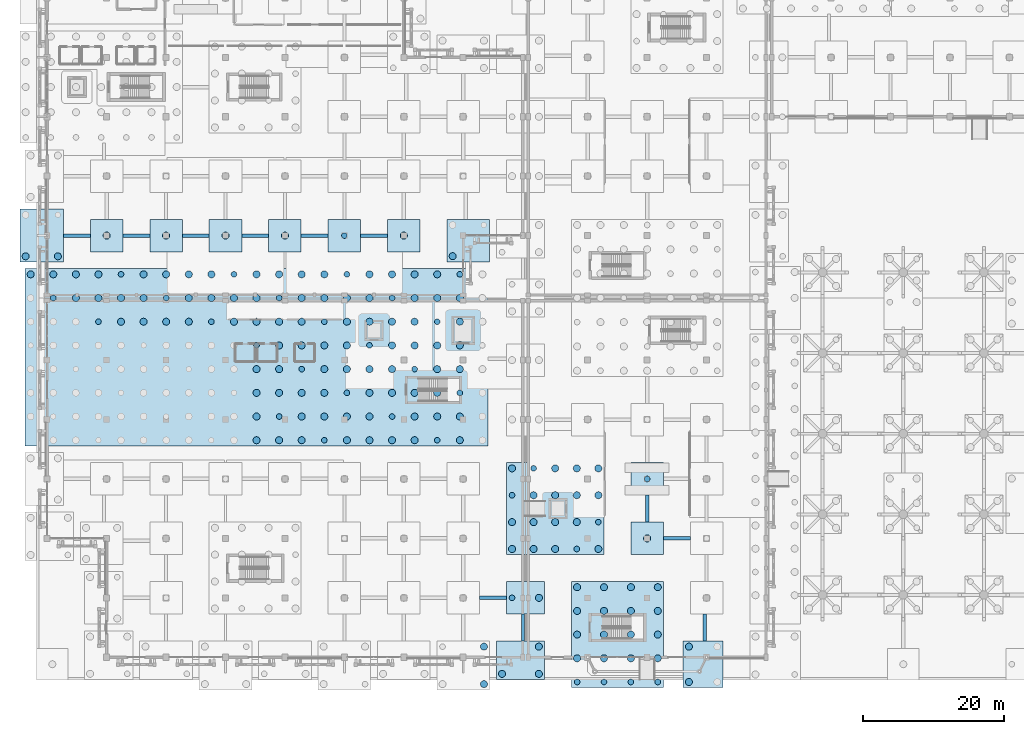
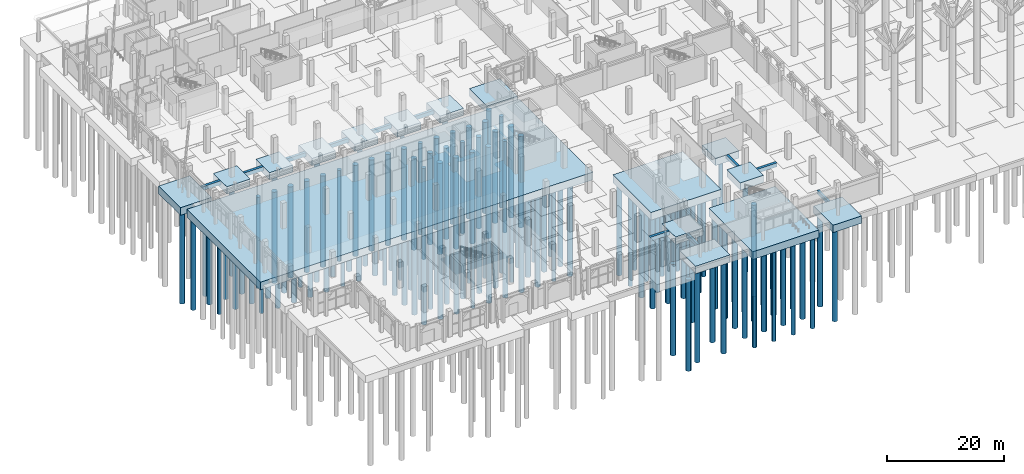
# One storey, part 2 of 98: 166 piles, 27 footings.
"""IFC4 building model written with IfcOpenShell, lengths in metres."""

from ifc_helpers import new_model, si_unit, direction, frame, origin, origin_2d, place, context, subcontext, project, spatial, rectangle, circle, extrude, material, material_profile, profile_set, type_object, element, save


model = new_model("IFC4")

# Units and contexts
model_context = context("Model", 3, precision=1e-05, world=origin(), true_north=direction((0.0, 1.0)))
body_context = subcontext(model_context, "Body", "Model", "MODEL_VIEW")
ifc_project = project(units=[si_unit("LENGTHUNIT", "METRE"), si_unit("AREAUNIT", "SQUARE_METRE"), si_unit("VOLUMEUNIT", "CUBIC_METRE"), si_unit("PLANEANGLEUNIT", "RADIAN"), si_unit("MASSUNIT", "GRAM", prefix="KILO")], contexts=[model_context])

# Site, building, storey
site_placement = place(None, origin())
site = spatial("IfcSite", under=ifc_project, at=site_placement, CompositionType="ELEMENT")
building_placement = place(site_placement, origin())
building = spatial("IfcBuilding", under=site, at=building_placement, Name="Xazarin Passage Department Store", CompositionType="ELEMENT")
storey_placement = place(building_placement, origin())
storey = spatial("IfcBuildingStorey", under=building, at=storey_placement, Name="L00", CompositionType="ELEMENT", Elevation=0.0)

# Footings
ifc_material = material(Name="Concrete C35/45", Category="concrete")
footing_type_1 = type_object("IfcFootingType", Name="STR-CAP-PC11", PredefinedType="PILE_CAP", material=ifc_material)
for number, where, z_axis, x_axis, name in (
    (1, (84.800048828125, 16.800048828125, -1.5), (0.0, 0.0, 1.0), (1.0, 0.0, 0.0), "Pile Cap 038"),
    (2, (84.800048828125, 25.199951171875, -1.5), (0.0, 0.0, 1.0), (1.0, 0.0, 0.0), "Pile Cap 054"),
    (3, (8.39990234375, 59.60009765625, -1.5), (0.0, 0.0, 1.0), (1.0, 0.0, 0.0), "Pile Cap 085"),
    (4, (16.800048828125, 59.60009765625, -1.5), (0.0, 0.0, 1.0), (1.0, 0.0, 0.0), "Pile Cap 086"),
    (5, (25.199951171875, 59.60009765625, -1.5), (0.0, 0.0, 1.0), (1.0, 0.0, 0.0), "Pile Cap 087"),
    (6, (33.60009765625, 59.60009765625, -1.5), (0.0, 0.0, 1.0), (1.0, 0.0, 0.0), "Pile Cap 088"),
    (7, (42.0, 59.60009765625, -1.5), (0.0, 0.0, 1.0), (1.0, 0.0, 0.0), "Pile Cap 089"),
    (8, (50.39990234375, 59.60009765625, -1.5), (0.0, 0.0, 1.0), (1.0, 0.0, 0.0), "Pile Cap 090"),
):
    element("IfcFooting", number, at=place(storey_placement, frame(where, z_axis=z_axis, x_axis=x_axis)), inside=storey, type_object=footing_type_1, Name=name, PredefinedType="PILE_CAP", context=body_context, shape_type="SweptSolid", body=[
        extrude(rectangle(XDim=4.60009765625, YDim=4.60009765625, at=origin_2d()), origin(), (0.0, 0.0, 1.0), 1.5),
    ])
footing_type_2 = type_object("IfcFootingType", Name="STR-CAP-PC13", PredefinedType="PILE_CAP", material=ifc_material)
footing_1_placement = place(storey_placement, frame((67.60009765625, 8.39990234375, -1.5498046875), z_axis=(0.0, 0.0, 1.0), x_axis=(1.0, 0.0, 0.0)))
element("IfcFooting", 9, at=footing_1_placement, inside=storey, type_object=footing_type_2, Name="Pile Cap 024", PredefinedType="PILE_CAP", context=body_context, shape_type="SweptSolid", body=[
    extrude(rectangle(XDim=5.39990234375, YDim=4.60009765625, at=origin_2d()), origin(), (0.0, 0.0, 1.0), 1.550048828125),
])
footing_type_3 = type_object("IfcFootingType", Name="STR-CAP-PC15", PredefinedType="PILE_CAP", material=ifc_material)
footing_2_placement = place(storey_placement, frame((59.510009765625, 58.889892578125, -1.5498046875), z_axis=(0.0, 0.0, 1.0), x_axis=(1.0, 0.0, 0.0)))
element("IfcFooting", 10, at=footing_2_placement, inside=storey, type_object=footing_type_3, Name="Pile Cap 082", PredefinedType="PILE_CAP", context=body_context, shape_type="SweptSolid", body=[
    extrude(rectangle(XDim=6.0, YDim=6.0, at=origin_2d()), origin(), (0.0, 0.0, 1.0), 1.550048828125),
])
footing_type_4 = type_object("IfcFootingType", Name="STR-CAP-PC16", PredefinedType="PILE_CAP", material=ifc_material)
footing_3_placement = place(storey_placement, frame((71.800048828125, 21.0, -1.60009765625), z_axis=(0.0, 0.0, 1.0), x_axis=(1.0, 0.0, 0.0)))
element("IfcFooting", 11, at=footing_3_placement, inside=storey, type_object=footing_type_4, Name="Pile Cap 037", PredefinedType="PILE_CAP", context=body_context, shape_type="SweptSolid", body=[
    extrude(rectangle(XDim=13.800048828125, YDim=13.0, at=origin_2d()), origin(), (0.0, 0.0, 1.0), 1.60009765625),
])
footing_type_5 = type_object("IfcFootingType", Name="STR-CAP-PC2", PredefinedType="PILE_CAP", material=ifc_material)
footing_4_placement = place(storey_placement, frame((80.60009765625, 3.199951171875, -1.60009765625), z_axis=(0.0, 0.0, 1.0), x_axis=(0.0, 1.0, 0.0)))
element("IfcFooting", 12, at=footing_4_placement, inside=storey, type_object=footing_type_5, Name="Pile Cap 004", PredefinedType="PILE_CAP", context=body_context, shape_type="SweptSolid", body=[
    extrude(rectangle(XDim=15.0, YDim=13.0, at=origin_2d()), origin(), (0.0, 0.0, 1.0), 1.60009765625),
])
footing_type_6 = type_object("IfcFootingType", Name="STR-CAP-PC20", PredefinedType="PILE_CAP", material=ifc_material)
footing_5_placement = place(storey_placement, frame((29.5849609375, 42.39990234375, -1.60009765625), z_axis=(0.0, 0.0, 1.0), x_axis=(1.0, 0.0, 0.0)))
element("IfcFooting", 13, at=footing_5_placement, inside=storey, type_object=footing_type_6, Name="Pile Cap 061", PredefinedType="PILE_CAP", context=body_context, shape_type="SweptSolid", body=[
    extrude(rectangle(XDim=65.449951171875, YDim=25.050048828125, at=origin_2d()), origin(), (0.0, 0.0, 1.0), 1.60009765625),
])
footing_type_7 = type_object("IfcFootingType", Name="STR-CAP-PC26", PredefinedType="PILE_CAP", material=ifc_material)
footing_6_placement = place(storey_placement, frame((-0.77490234375, 59.60009765625, -1.60009765625), z_axis=(0.0, 0.0, 1.0), x_axis=(0.0, 1.0, 0.0)))
element("IfcFooting", 14, at=footing_6_placement, inside=storey, type_object=footing_type_7, Name="Pile Cap 081", PredefinedType="PILE_CAP", context=body_context, shape_type="SweptSolid", body=[
    extrude(rectangle(XDim=7.449951171875, YDim=6.14990234375, at=origin_2d()), origin(), (0.0, 0.0, 1.0), 1.60009765625),
])
footing_type_8 = type_object("IfcFootingType", Name="STR-CAP-PC3", PredefinedType="PILE_CAP", material=ifc_material)
footing_7_placement = place(storey_placement, frame((92.699951171875, -1.0, -1.5498046875), z_axis=(0.0, 0.0, 1.0), x_axis=(0.0, 1.0, 0.0)))
element("IfcFooting", 15, at=footing_7_placement, inside=storey, type_object=footing_type_8, Name="Pile Cap 005", PredefinedType="PILE_CAP", context=body_context, shape_type="SweptSolid", body=[
    extrude(rectangle(XDim=6.60009765625, YDim=5.60009765625, at=origin_2d()), origin(), (0.0, 0.0, 1.0), 1.550048828125),
])
footing_type_9 = type_object("IfcFootingType", Name="STR-CAP-PC9", PredefinedType="PILE_CAP", material=ifc_material)
footing_8_placement = place(storey_placement, frame((66.889892578125, -0.425048828125, -1.5498046875), z_axis=(0.0, 0.0, 1.0), x_axis=(1.0, 0.0, 0.0)))
element("IfcFooting", 16, at=footing_8_placement, inside=storey, type_object=footing_type_9, Name="Pile Cap 016", PredefinedType="PILE_CAP", context=body_context, shape_type="SweptSolid", body=[
    extrude(rectangle(XDim=6.800048828125, YDim=5.449951171875, at=origin_2d()), origin(), (0.0, 0.0, 1.0), 1.550048828125),
])
ifc_material_profile_1 = material_profile(ifc_material, rectangle(XDim=0.449951171875, YDim=0.699951171875, at=origin_2d()), Name="RC 450x700")
ifc_profile_set_1 = profile_set([ifc_material_profile_1], Name="Concrete C35/45")
footing_type_10 = type_object("IfcFootingType", Name="STR-FTG-TB450x700", PredefinedType="FOOTING_BEAM", material=ifc_profile_set_1)
for number, where, z_axis, x_axis, name in (
    (17, (92.949951171875, 2.300048828125, -0.35009765625), (0.0, 1.0, 0.0), (-1.0, 0.0, 0.0), "Ground Tie Beam 003"),
    (18, (67.2451171875, 2.300048828125, -0.35009765625), (0.0, 1.0, 0.0), (-1.0, 0.0, 0.0), "Ground Tie Beam 007"),
):
    element("IfcFooting", number, at=place(storey_placement, frame(where, z_axis=z_axis, x_axis=x_axis)), inside=storey, type_object=footing_type_10, Name=name, PredefinedType="FOOTING_BEAM", context=body_context, shape_type="SweptSolid", body=[
        extrude(rectangle(XDim=0.449951171875, YDim=0.699951171875, at=origin_2d()), origin(), (0.0, 0.0, 1.0), 3.800048828125),
    ])
footing_9_placement = place(storey_placement, frame((84.800048828125, 19.10009765625, -0.35009765625), z_axis=(0.0, 1.0, 0.0), x_axis=(-1.0, 0.0, 0.0)))
element("IfcFooting", 19, at=footing_9_placement, inside=storey, type_object=footing_type_10, Name="Ground Tie Beam 034", PredefinedType="FOOTING_BEAM", context=body_context, shape_type="SweptSolid", body=[
    extrude(rectangle(XDim=0.449951171875, YDim=0.699951171875, at=origin_2d()), origin(), (0.0, 0.0, 1.0), 3.7998046875),
])
ifc_material_profile_2 = material_profile(ifc_material, rectangle(XDim=0.5, YDim=0.800048828125, at=origin_2d()), Name="RC 500x800")
ifc_profile_set_2 = profile_set([ifc_material_profile_2], Name="Concrete C35/45")
footing_type_11 = type_object("IfcFootingType", Name="STR-FTG-TB500x800", PredefinedType="FOOTING_BEAM", material=ifc_profile_set_2)
for number, where, z_axis, x_axis, name in (
    (20, (61.10009765625, 8.39990234375, -0.39990234375), (1.0, 0.0, 0.0), (0.0, 1.0, 0.0), "Ground Tie Beam 014"),
    (21, (87.10009765625, 16.800048828125, -0.39990234375), (1.0, 0.0, 0.0), (0.0, 1.0, 0.0), "Ground Tie Beam 033"),
):
    element("IfcFooting", number, at=place(storey_placement, frame(where, z_axis=z_axis, x_axis=x_axis)), inside=storey, type_object=footing_type_11, Name=name, PredefinedType="FOOTING_BEAM", context=body_context, shape_type="SweptSolid", body=[
        extrude(rectangle(XDim=0.5, YDim=0.800048828125, at=origin_2d()), origin(), (0.0, 0.0, 1.0), 3.7998046875),
    ])
for number, where, z_axis, x_axis, name in (
    (22, (2.300048828125, 59.60009765625, -0.39990234375), (1.0, 0.0, 0.0), (0.0, 1.0, 0.0), "Ground Tie Beam 077"),
    (23, (10.699951171875, 59.60009765625, -0.39990234375), (1.0, 0.0, 0.0), (0.0, 1.0, 0.0), "Ground Tie Beam 080"),
):
    element("IfcFooting", number, at=place(storey_placement, frame(where, z_axis=z_axis, x_axis=x_axis)), inside=storey, type_object=footing_type_11, Name=name, PredefinedType="FOOTING_BEAM", context=body_context, shape_type="SweptSolid", body=[
        extrude(rectangle(XDim=0.5, YDim=0.800048828125, at=origin_2d()), origin(), (0.0, 0.0, 1.0), 3.800048828125),
    ])
footing_10_placement = place(storey_placement, frame((19.10009765625, 59.60009765625, -0.39990234375), z_axis=(1.0, 0.0, 0.0), x_axis=(0.0, 1.0, 0.0)))
element("IfcFooting", 24, at=footing_10_placement, inside=storey, type_object=footing_type_11, Name="Ground Tie Beam 082", PredefinedType="FOOTING_BEAM", context=body_context, shape_type="SweptSolid", body=[
    extrude(rectangle(XDim=0.5, YDim=0.800048828125, at=origin_2d()), origin(), (0.0, 0.0, 1.0), 3.7998046875),
])
for number, where, z_axis, x_axis, name in (
    (25, (27.5, 59.60009765625, -0.39990234375), (1.0, 0.0, 0.0), (0.0, 1.0, 0.0), "Ground Tie Beam 084"),
    (26, (35.89990234375, 59.60009765625, -0.39990234375), (1.0, 0.0, 0.0), (0.0, 1.0, 0.0), "Ground Tie Beam 086"),
    (27, (44.300048828125, 59.60009765625, -0.39990234375), (1.0, 0.0, 0.0), (0.0, 1.0, 0.0), "Ground Tie Beam 088"),
):
    element("IfcFooting", number, at=place(storey_placement, frame(where, z_axis=z_axis, x_axis=x_axis)), inside=storey, type_object=footing_type_11, Name=name, PredefinedType="FOOTING_BEAM", context=body_context, shape_type="SweptSolid", body=[
        extrude(rectangle(XDim=0.5, YDim=0.800048828125, at=origin_2d()), origin(), (0.0, 0.0, 1.0), 3.800048828125),
    ])

# Piles
ifc_material_profile_3 = material_profile(ifc_material, circle(Radius=0.5, at=origin_2d()), Name="BP 1000")
ifc_profile_set_3 = profile_set([ifc_material_profile_3], Name="Concrete C35/45")
pile_type_1 = type_object("IfcPileType", Name="STR-PIL-BP1000", PredefinedType="BORED", material=ifc_profile_set_3)
for number, where, z_axis, x_axis, name in (
    (28, (61.72509765625, -3.800048828125, -1.5), (0.0, 0.0, -1.0), (1.0, 0.0, 0.0), "Bored Pile 003-3"),
    (29, (61.72509765625, 1.5, -1.5), (0.0, 0.0, -1.0), (1.0, 0.0, 0.0), "Bored Pile 003-4"),
    (30, (74.89990234375, -0.14990234375, -1.5), (0.0, 0.0, -1.0), (1.0, 0.0, 0.0), "Bored Pile 004-2"),
    (31, (74.89990234375, 3.199951171875, -1.5), (0.0, 0.0, -1.0), (1.0, 0.0, 0.0), "Bored Pile 004-3"),
    (32, (74.89990234375, 6.550048828125, -1.5), (0.0, 0.0, -1.0), (1.0, 0.0, 0.0), "Bored Pile 004-4"),
    (33, (74.89990234375, 9.89990234375, -1.5), (0.0, 0.0, -1.0), (1.0, 0.0, 0.0), "Bored Pile 004-5"),
    (34, (78.699951171875, -0.14990234375, -1.5), (0.0, 0.0, -1.0), (1.0, 0.0, 0.0), "Bored Pile 004-7"),
    (35, (78.699951171875, 3.199951171875, -1.5), (0.0, 0.0, -1.0), (1.0, 0.0, 0.0), "Bored Pile 004-8"),
    (36, (78.699951171875, 6.550048828125, -1.5), (0.0, 0.0, -1.0), (1.0, 0.0, 0.0), "Bored Pile 004-9"),
    (37, (78.699951171875, 9.89990234375, -1.5), (0.0, 0.0, -1.0), (1.0, 0.0, 0.0), "Bored Pile 004-10"),
    (38, (82.5, -0.14990234375, -1.5), (0.0, 0.0, -1.0), (1.0, 0.0, 0.0), "Bored Pile 004-12"),
    (39, (82.5, 3.199951171875, -1.5), (0.0, 0.0, -1.0), (1.0, 0.0, 0.0), "Bored Pile 004-13"),
    (40, (82.5, 6.550048828125, -1.5), (0.0, 0.0, -1.0), (1.0, 0.0, 0.0), "Bored Pile 004-14"),
    (41, (82.5, 9.89990234375, -1.5), (0.0, 0.0, -1.0), (1.0, 0.0, 0.0), "Bored Pile 004-15"),
    (42, (86.300048828125, -0.14990234375, -1.5), (0.0, 0.0, -1.0), (1.0, 0.0, 0.0), "Bored Pile 004-17"),
    (43, (86.300048828125, 3.199951171875, -1.5), (0.0, 0.0, -1.0), (1.0, 0.0, 0.0), "Bored Pile 004-18"),
    (44, (86.300048828125, 6.550048828125, -1.5), (0.0, 0.0, -1.0), (1.0, 0.0, 0.0), "Bored Pile 004-19"),
    (45, (86.300048828125, 9.89990234375, -1.5), (0.0, 0.0, -1.0), (1.0, 0.0, 0.0), "Bored Pile 004-20"),
):
    element("IfcPile", number, at=place(storey_placement, frame(where, z_axis=z_axis, x_axis=x_axis)), inside=storey, type_object=pile_type_1, Name=name, PredefinedType="BORED", context=body_context, shape_type="SweptSolid", body=[
        extrude(circle(Radius=0.5, at=origin_2d()), origin(), (0.0, 0.0, 1.0), 19.0),
    ])
for number, where, z_axis, x_axis, name in (
    (46, (90.699951171875, -3.5, -1.449951171875), (0.0, 0.0, -1.0), (1.0, 0.0, 0.0), "Bored Pile 005-1"),
    (47, (90.699951171875, 1.5, -1.449951171875), (0.0, 0.0, -1.0), (1.0, 0.0, 0.0), "Bored Pile 005-2"),
    (48, (64.2900390625, -2.35009765625, -1.449951171875), (0.0, 0.0, -1.0), (1.0, 0.0, 0.0), "Bored Pile 016-1"),
    (49, (69.489990234375, -2.35009765625, -1.449951171875), (0.0, 0.0, -1.0), (1.0, 0.0, 0.0), "Bored Pile 016-2"),
    (50, (69.489990234375, 1.5, -1.449951171875), (0.0, 0.0, -1.0), (1.0, 0.0, 0.0), "Bored Pile 016-3"),
    (51, (69.5, 8.39990234375, -1.449951171875), (0.0, 0.0, -1.0), (1.0, 0.0, 0.0), "Bored Pile 024-2"),
):
    element("IfcPile", number, at=place(storey_placement, frame(where, z_axis=z_axis, x_axis=x_axis)), inside=storey, type_object=pile_type_1, Name=name, PredefinedType="BORED", context=body_context, shape_type="SweptSolid", body=[
        extrude(circle(Radius=0.5, at=origin_2d()), origin(), (0.0, 0.0, 1.0), 19.050048828125),
    ])
for number, where, z_axis, x_axis, name in (
    (52, (65.699951171875, 15.300048828125, -1.5), (0.0, 0.0, -1.0), (1.0, 0.0, 0.0), "Bored Pile 037-1"),
    (53, (65.699951171875, 19.10009765625, -1.5), (0.0, 0.0, -1.0), (1.0, 0.0, 0.0), "Bored Pile 037-2"),
    (54, (65.699951171875, 26.699951171875, -1.5), (0.0, 0.0, -1.0), (1.0, 0.0, 0.0), "Bored Pile 037-4"),
    (55, (68.75, 15.300048828125, -1.5), (0.0, 0.0, -1.0), (1.0, 0.0, 0.0), "Bored Pile 037-5"),
    (56, (68.75, 19.10009765625, -1.5), (0.0, 0.0, -1.0), (1.0, 0.0, 0.0), "Bored Pile 037-6"),
    (57, (68.75, 22.89990234375, -1.5), (0.0, 0.0, -1.0), (1.0, 0.0, 0.0), "Bored Pile 037-7"),
    (58, (71.800048828125, 15.300048828125, -1.5), (0.0, 0.0, -1.0), (1.0, 0.0, 0.0), "Bored Pile 037-9"),
    (59, (71.800048828125, 19.10009765625, -1.5), (0.0, 0.0, -1.0), (1.0, 0.0, 0.0), "Bored Pile 037-10"),
    (60, (71.800048828125, 22.89990234375, -1.5), (0.0, 0.0, -1.0), (1.0, 0.0, 0.0), "Bored Pile 037-11"),
    (61, (71.800048828125, 26.699951171875, -1.5), (0.0, 0.0, -1.0), (1.0, 0.0, 0.0), "Bored Pile 037-12"),
    (62, (74.85009765625, 19.10009765625, -1.5), (0.0, 0.0, -1.0), (1.0, 0.0, 0.0), "Bored Pile 037-14"),
    (63, (74.85009765625, 22.89990234375, -1.5), (0.0, 0.0, -1.0), (1.0, 0.0, 0.0), "Bored Pile 037-15"),
    (64, (74.85009765625, 26.699951171875, -1.5), (0.0, 0.0, -1.0), (1.0, 0.0, 0.0), "Bored Pile 037-16"),
    (65, (77.89990234375, 15.300048828125, -1.5), (0.0, 0.0, -1.0), (1.0, 0.0, 0.0), "Bored Pile 037-17"),
    (66, (77.89990234375, 22.89990234375, -1.5), (0.0, 0.0, -1.0), (1.0, 0.0, 0.0), "Bored Pile 037-19"),
    (67, (77.89990234375, 26.699951171875, -1.5), (0.0, 0.0, -1.0), (1.0, 0.0, 0.0), "Bored Pile 037-20"),
):
    element("IfcPile", number, at=place(storey_placement, frame(where, z_axis=z_axis, x_axis=x_axis)), inside=storey, type_object=pile_type_1, Name=name, PredefinedType="BORED", context=body_context, shape_type="SweptSolid", body=[
        extrude(circle(Radius=0.5, at=origin_2d()), origin(), (0.0, 0.0, 1.0), 19.0),
    ])
pile_1_placement = place(storey_placement, frame((84.800048828125, 16.800048828125, -1.39990234375), z_axis=(0.0, 0.0, -1.0), x_axis=(1.0, 0.0, 0.0)))
element("IfcPile", 68, at=pile_1_placement, inside=storey, type_object=pile_type_1, Name="Bored Pile 038-1", PredefinedType="BORED", context=body_context, shape_type="SweptSolid", body=[
    extrude(circle(Radius=0.5, at=origin_2d()), origin(), (0.0, 0.0, 1.0), 19.10009765625),
])
for number, where, z_axis, x_axis, name in (
    (69, (-2.340087890625, 54.125, -1.5), (0.0, 0.0, -1.0), (1.0, 0.0, 0.0), "Bored Pile 061-7"),
    (70, (0.8525390625, 54.125, -1.5), (0.0, 0.0, -1.0), (1.0, 0.0, 0.0), "Bored Pile 061-15"),
    (71, (4.044921875, 50.77490234375, -1.5), (0.0, 0.0, -1.0), (1.0, 0.0, 0.0), "Bored Pile 061-22"),
    (72, (4.044921875, 54.125, -1.5), (0.0, 0.0, -1.0), (1.0, 0.0, 0.0), "Bored Pile 061-23"),
    (73, (7.237548828125, 50.77490234375, -1.5), (0.0, 0.0, -1.0), (1.0, 0.0, 0.0), "Bored Pile 061-30"),
    (74, (7.237548828125, 54.125, -1.5), (0.0, 0.0, -1.0), (1.0, 0.0, 0.0), "Bored Pile 061-31"),
    (75, (10.429931640625, 47.425048828125, -1.5), (0.0, 0.0, -1.0), (1.0, 0.0, 0.0), "Bored Pile 061-37"),
    (76, (10.429931640625, 50.77490234375, -1.5), (0.0, 0.0, -1.0), (1.0, 0.0, 0.0), "Bored Pile 061-38"),
    (77, (13.62255859375, 47.425048828125, -1.5), (0.0, 0.0, -1.0), (1.0, 0.0, 0.0), "Bored Pile 061-45"),
    (78, (13.62255859375, 50.77490234375, -1.5), (0.0, 0.0, -1.0), (1.0, 0.0, 0.0), "Bored Pile 061-46"),
    (79, (13.62255859375, 54.125, -1.5), (0.0, 0.0, -1.0), (1.0, 0.0, 0.0), "Bored Pile 061-47"),
    (80, (16.81494140625, 47.425048828125, -1.5), (0.0, 0.0, -1.0), (1.0, 0.0, 0.0), "Bored Pile 061-53"),
    (81, (16.81494140625, 54.125, -1.5), (0.0, 0.0, -1.0), (1.0, 0.0, 0.0), "Bored Pile 061-55"),
    (82, (20.007568359375, 47.425048828125, -1.5), (0.0, 0.0, -1.0), (1.0, 0.0, 0.0), "Bored Pile 061-61"),
    (83, (20.007568359375, 50.77490234375, -1.5), (0.0, 0.0, -1.0), (1.0, 0.0, 0.0), "Bored Pile 061-62"),
    (84, (20.007568359375, 54.125, -1.5), (0.0, 0.0, -1.0), (1.0, 0.0, 0.0), "Bored Pile 061-63"),
    (85, (23.199951171875, 50.77490234375, -1.5), (0.0, 0.0, -1.0), (1.0, 0.0, 0.0), "Bored Pile 061-70"),
    (86, (23.199951171875, 54.125, -1.5), (0.0, 0.0, -1.0), (1.0, 0.0, 0.0), "Bored Pile 061-71"),
    (87, (26.392578125, 47.425048828125, -1.5), (0.0, 0.0, -1.0), (1.0, 0.0, 0.0), "Bored Pile 061-77"),
    (88, (26.392578125, 50.77490234375, -1.5), (0.0, 0.0, -1.0), (1.0, 0.0, 0.0), "Bored Pile 061-78"),
    (89, (29.5849609375, 30.675048828125, -1.5), (0.0, 0.0, -1.0), (1.0, 0.0, 0.0), "Bored Pile 061-80"),
    (90, (29.5849609375, 34.02490234375, -1.5), (0.0, 0.0, -1.0), (1.0, 0.0, 0.0), "Bored Pile 061-81"),
    (91, (29.5849609375, 37.375, -1.5), (0.0, 0.0, -1.0), (1.0, 0.0, 0.0), "Bored Pile 061-82"),
    (92, (29.5849609375, 40.72509765625, -1.5), (0.0, 0.0, -1.0), (1.0, 0.0, 0.0), "Bored Pile 061-83"),
    (93, (29.5849609375, 47.425048828125, -1.5), (0.0, 0.0, -1.0), (1.0, 0.0, 0.0), "Bored Pile 061-85"),
    (94, (29.5849609375, 50.77490234375, -1.5), (0.0, 0.0, -1.0), (1.0, 0.0, 0.0), "Bored Pile 061-86"),
    (95, (29.5849609375, 54.125, -1.5), (0.0, 0.0, -1.0), (1.0, 0.0, 0.0), "Bored Pile 061-87"),
    (96, (32.777587890625, 30.675048828125, -1.5), (0.0, 0.0, -1.0), (1.0, 0.0, 0.0), "Bored Pile 061-88"),
    (97, (32.777587890625, 37.375, -1.5), (0.0, 0.0, -1.0), (1.0, 0.0, 0.0), "Bored Pile 061-90"),
    (98, (32.777587890625, 40.72509765625, -1.5), (0.0, 0.0, -1.0), (1.0, 0.0, 0.0), "Bored Pile 061-91"),
    (99, (32.777587890625, 44.074951171875, -1.5), (0.0, 0.0, -1.0), (1.0, 0.0, 0.0), "Bored Pile 061-92"),
    (100, (32.777587890625, 47.425048828125, -1.5), (0.0, 0.0, -1.0), (1.0, 0.0, 0.0), "Bored Pile 061-93"),
    (101, (32.777587890625, 54.125, -1.5), (0.0, 0.0, -1.0), (1.0, 0.0, 0.0), "Bored Pile 061-95"),
    (102, (35.969970703125, 30.675048828125, -1.5), (0.0, 0.0, -1.0), (1.0, 0.0, 0.0), "Bored Pile 061-96"),
    (103, (35.969970703125, 34.02490234375, -1.5), (0.0, 0.0, -1.0), (1.0, 0.0, 0.0), "Bored Pile 061-97"),
    (104, (35.969970703125, 37.375, -1.5), (0.0, 0.0, -1.0), (1.0, 0.0, 0.0), "Bored Pile 061-98"),
    (105, (35.969970703125, 44.074951171875, -1.5), (0.0, 0.0, -1.0), (1.0, 0.0, 0.0), "Bored Pile 061-100"),
    (106, (35.969970703125, 47.425048828125, -1.5), (0.0, 0.0, -1.0), (1.0, 0.0, 0.0), "Bored Pile 061-101"),
    (107, (35.969970703125, 50.77490234375, -1.5), (0.0, 0.0, -1.0), (1.0, 0.0, 0.0), "Bored Pile 061-102"),
    (108, (35.969970703125, 54.125, -1.5), (0.0, 0.0, -1.0), (1.0, 0.0, 0.0), "Bored Pile 061-103"),
    (109, (39.16259765625, 34.02490234375, -1.5), (0.0, 0.0, -1.0), (1.0, 0.0, 0.0), "Bored Pile 061-105"),
    (110, (39.16259765625, 37.375, -1.5), (0.0, 0.0, -1.0), (1.0, 0.0, 0.0), "Bored Pile 061-106"),
    (111, (39.16259765625, 40.72509765625, -1.5), (0.0, 0.0, -1.0), (1.0, 0.0, 0.0), "Bored Pile 061-107"),
    (112, (39.16259765625, 44.074951171875, -1.5), (0.0, 0.0, -1.0), (1.0, 0.0, 0.0), "Bored Pile 061-108"),
    (113, (39.16259765625, 50.77490234375, -1.5), (0.0, 0.0, -1.0), (1.0, 0.0, 0.0), "Bored Pile 061-110"),
    (114, (39.16259765625, 54.125, -1.5), (0.0, 0.0, -1.0), (1.0, 0.0, 0.0), "Bored Pile 061-111"),
    (115, (42.35498046875, 30.675048828125, -1.5), (0.0, 0.0, -1.0), (1.0, 0.0, 0.0), "Bored Pile 061-112"),
    (116, (42.35498046875, 34.02490234375, -1.5), (0.0, 0.0, -1.0), (1.0, 0.0, 0.0), "Bored Pile 061-113"),
    (117, (42.35498046875, 40.72509765625, -1.5), (0.0, 0.0, -1.0), (1.0, 0.0, 0.0), "Bored Pile 061-115"),
    (118, (42.35498046875, 44.074951171875, -1.5), (0.0, 0.0, -1.0), (1.0, 0.0, 0.0), "Bored Pile 061-116"),
    (119, (42.35498046875, 47.425048828125, -1.5), (0.0, 0.0, -1.0), (1.0, 0.0, 0.0), "Bored Pile 061-117"),
    (120, (42.35498046875, 50.77490234375, -1.5), (0.0, 0.0, -1.0), (1.0, 0.0, 0.0), "Bored Pile 061-118"),
    (121, (45.547607421875, 30.675048828125, -1.5), (0.0, 0.0, -1.0), (1.0, 0.0, 0.0), "Bored Pile 061-120"),
    (122, (45.547607421875, 34.02490234375, -1.5), (0.0, 0.0, -1.0), (1.0, 0.0, 0.0), "Bored Pile 061-121"),
    (123, (45.547607421875, 37.375, -1.5), (0.0, 0.0, -1.0), (1.0, 0.0, 0.0), "Bored Pile 061-122"),
    (124, (45.547607421875, 40.72509765625, -1.5), (0.0, 0.0, -1.0), (1.0, 0.0, 0.0), "Bored Pile 061-123"),
    (125, (45.547607421875, 47.425048828125, -1.5), (0.0, 0.0, -1.0), (1.0, 0.0, 0.0), "Bored Pile 061-125"),
    (126, (45.547607421875, 50.77490234375, -1.5), (0.0, 0.0, -1.0), (1.0, 0.0, 0.0), "Bored Pile 061-126"),
    (127, (45.547607421875, 54.125, -1.5), (0.0, 0.0, -1.0), (1.0, 0.0, 0.0), "Bored Pile 061-127"),
    (128, (48.739990234375, 30.675048828125, -1.5), (0.0, 0.0, -1.0), (1.0, 0.0, 0.0), "Bored Pile 061-128"),
    (129, (48.739990234375, 37.375, -1.5), (0.0, 0.0, -1.0), (1.0, 0.0, 0.0), "Bored Pile 061-130"),
    (130, (48.739990234375, 40.72509765625, -1.5), (0.0, 0.0, -1.0), (1.0, 0.0, 0.0), "Bored Pile 061-131"),
    (131, (48.739990234375, 44.074951171875, -1.5), (0.0, 0.0, -1.0), (1.0, 0.0, 0.0), "Bored Pile 061-132"),
    (132, (48.739990234375, 47.425048828125, -1.5), (0.0, 0.0, -1.0), (1.0, 0.0, 0.0), "Bored Pile 061-133"),
    (133, (48.739990234375, 54.125, -1.5), (0.0, 0.0, -1.0), (1.0, 0.0, 0.0), "Bored Pile 061-135"),
    (134, (51.9326171875, 30.675048828125, -1.5), (0.0, 0.0, -1.0), (1.0, 0.0, 0.0), "Bored Pile 061-136"),
    (135, (51.9326171875, 34.02490234375, -1.5), (0.0, 0.0, -1.0), (1.0, 0.0, 0.0), "Bored Pile 061-137"),
    (136, (51.9326171875, 37.375, -1.5), (0.0, 0.0, -1.0), (1.0, 0.0, 0.0), "Bored Pile 061-138"),
    (137, (51.9326171875, 44.074951171875, -1.5), (0.0, 0.0, -1.0), (1.0, 0.0, 0.0), "Bored Pile 061-140"),
    (138, (51.9326171875, 47.425048828125, -1.5), (0.0, 0.0, -1.0), (1.0, 0.0, 0.0), "Bored Pile 061-141"),
    (139, (51.9326171875, 50.77490234375, -1.5), (0.0, 0.0, -1.0), (1.0, 0.0, 0.0), "Bored Pile 061-142"),
    (140, (51.9326171875, 54.125, -1.5), (0.0, 0.0, -1.0), (1.0, 0.0, 0.0), "Bored Pile 061-143"),
    (141, (55.125, 34.02490234375, -1.5), (0.0, 0.0, -1.0), (1.0, 0.0, 0.0), "Bored Pile 061-145"),
    (142, (55.125, 37.375, -1.5), (0.0, 0.0, -1.0), (1.0, 0.0, 0.0), "Bored Pile 061-146"),
    (143, (55.125, 40.72509765625, -1.5), (0.0, 0.0, -1.0), (1.0, 0.0, 0.0), "Bored Pile 061-147"),
    (144, (55.125, 44.074951171875, -1.5), (0.0, 0.0, -1.0), (1.0, 0.0, 0.0), "Bored Pile 061-148"),
    (145, (55.125, 50.77490234375, -1.5), (0.0, 0.0, -1.0), (1.0, 0.0, 0.0), "Bored Pile 061-150"),
    (146, (55.125, 54.125, -1.5), (0.0, 0.0, -1.0), (1.0, 0.0, 0.0), "Bored Pile 061-151"),
    (147, (58.3173828125, 30.675048828125, -1.5), (0.0, 0.0, -1.0), (1.0, 0.0, 0.0), "Bored Pile 061-152"),
    (148, (58.3173828125, 34.02490234375, -1.5), (0.0, 0.0, -1.0), (1.0, 0.0, 0.0), "Bored Pile 061-153"),
    (149, (58.3173828125, 40.72509765625, -1.5), (0.0, 0.0, -1.0), (1.0, 0.0, 0.0), "Bored Pile 061-155"),
    (150, (58.3173828125, 44.074951171875, -1.5), (0.0, 0.0, -1.0), (1.0, 0.0, 0.0), "Bored Pile 061-156"),
    (151, (58.3173828125, 47.425048828125, -1.5), (0.0, 0.0, -1.0), (1.0, 0.0, 0.0), "Bored Pile 061-157"),
    (152, (58.3173828125, 50.77490234375, -1.5), (0.0, 0.0, -1.0), (1.0, 0.0, 0.0), "Bored Pile 061-158"),
    (153, (-3.050048828125, 56.675048828125, -1.5), (0.0, 0.0, -1.0), (1.0, 0.0, 0.0), "Bored Pile 081-1"),
    (154, (1.5, 56.675048828125, -1.5), (0.0, 0.0, -1.0), (1.0, 0.0, 0.0), "Bored Pile 081-3"),
):
    element("IfcPile", number, at=place(storey_placement, frame(where, z_axis=z_axis, x_axis=x_axis)), inside=storey, type_object=pile_type_1, Name=name, PredefinedType="BORED", context=body_context, shape_type="SweptSolid", body=[
        extrude(circle(Radius=0.5, at=origin_2d()), origin(), (0.0, 0.0, 1.0), 19.0),
    ])
pile_2_placement = place(storey_placement, frame((57.31005859375, 56.68994140625, -1.449951171875), z_axis=(0.0, 0.0, -1.0), x_axis=(1.0, 0.0, 0.0)))
element("IfcPile", 155, at=pile_2_placement, inside=storey, type_object=pile_type_1, Name="Bored Pile 082-1", PredefinedType="BORED", context=body_context, shape_type="SweptSolid", body=[
    extrude(circle(Radius=0.5, at=origin_2d()), origin(), (0.0, 0.0, 1.0), 19.050048828125),
])
for number, where, z_axis, x_axis, name in (
    (156, (8.39990234375, 59.60009765625, -1.39990234375), (0.0, 0.0, -1.0), (1.0, 0.0, 0.0), "Bored Pile 085-1"),
    (157, (16.800048828125, 59.60009765625, -1.39990234375), (0.0, 0.0, -1.0), (1.0, 0.0, 0.0), "Bored Pile 086-1"),
    (158, (25.199951171875, 59.60009765625, -1.39990234375), (0.0, 0.0, -1.0), (1.0, 0.0, 0.0), "Bored Pile 087-1"),
    (159, (33.60009765625, 59.60009765625, -1.39990234375), (0.0, 0.0, -1.0), (1.0, 0.0, 0.0), "Bored Pile 088-1"),
    (160, (50.39990234375, 59.60009765625, -1.39990234375), (0.0, 0.0, -1.0), (1.0, 0.0, 0.0), "Bored Pile 090-1"),
):
    element("IfcPile", number, at=place(storey_placement, frame(where, z_axis=z_axis, x_axis=x_axis)), inside=storey, type_object=pile_type_1, Name=name, PredefinedType="BORED", context=body_context, shape_type="SweptSolid", body=[
        extrude(circle(Radius=0.5, at=origin_2d()), origin(), (0.0, 0.0, 1.0), 19.10009765625),
    ])
ifc_material_profile_4 = material_profile(ifc_material, circle(Radius=0.39990234375, at=origin_2d()), Name="BP 800")
ifc_profile_set_4 = profile_set([ifc_material_profile_4], Name="Concrete C35/45")
pile_type_2 = type_object("IfcPileType", Name="STR-PIL-BP800", PredefinedType="BORED", material=ifc_profile_set_4)
for number, where, z_axis, x_axis, name in (
    (161, (74.89990234375, -3.5, -1.5), (0.0, 0.0, -1.0), (1.0, 0.0, 0.0), "Bored Pile 004-1"),
    (162, (78.699951171875, -3.5, -1.5), (0.0, 0.0, -1.0), (1.0, 0.0, 0.0), "Bored Pile 004-6"),
    (163, (82.5, -3.5, -1.5), (0.0, 0.0, -1.0), (1.0, 0.0, 0.0), "Bored Pile 004-11"),
    (164, (86.300048828125, -3.5, -1.5), (0.0, 0.0, -1.0), (1.0, 0.0, 0.0), "Bored Pile 004-16"),
):
    element("IfcPile", number, at=place(storey_placement, frame(where, z_axis=z_axis, x_axis=x_axis)), inside=storey, type_object=pile_type_2, Name=name, PredefinedType="BORED", context=body_context, shape_type="SweptSolid", body=[
        extrude(circle(Radius=0.39990234375, at=origin_2d()), origin(), (0.0, 0.0, 1.0), 19.0),
    ])
pile_3_placement = place(storey_placement, frame((65.699951171875, 8.39990234375, -1.449951171875), z_axis=(0.0, 0.0, -1.0), x_axis=(1.0, 0.0, 0.0)))
element("IfcPile", 165, at=pile_3_placement, inside=storey, type_object=pile_type_2, Name="Bored Pile 024-1", PredefinedType="BORED", context=body_context, shape_type="SweptSolid", body=[
    extrude(circle(Radius=0.39990234375, at=origin_2d()), origin(), (0.0, 0.0, 1.0), 19.050048828125),
])
for number, where, z_axis, x_axis, name in (
    (166, (65.699951171875, 22.89990234375, -1.5), (0.0, 0.0, -1.0), (1.0, 0.0, 0.0), "Bored Pile 037-3"),
    (167, (68.75, 26.699951171875, -1.5), (0.0, 0.0, -1.0), (1.0, 0.0, 0.0), "Bored Pile 037-8"),
    (168, (74.85009765625, 15.300048828125, -1.5), (0.0, 0.0, -1.0), (1.0, 0.0, 0.0), "Bored Pile 037-13"),
    (169, (77.89990234375, 19.10009765625, -1.5), (0.0, 0.0, -1.0), (1.0, 0.0, 0.0), "Bored Pile 037-18"),
):
    element("IfcPile", number, at=place(storey_placement, frame(where, z_axis=z_axis, x_axis=x_axis)), inside=storey, type_object=pile_type_2, Name=name, PredefinedType="BORED", context=body_context, shape_type="SweptSolid", body=[
        extrude(circle(Radius=0.39990234375, at=origin_2d()), origin(), (0.0, 0.0, 1.0), 19.0),
    ])
pile_4_placement = place(storey_placement, frame((84.800048828125, 25.199951171875, -1.39990234375), z_axis=(0.0, 0.0, -1.0), x_axis=(1.0, 0.0, 0.0)))
element("IfcPile", 170, at=pile_4_placement, inside=storey, type_object=pile_type_2, Name="Bored Pile 054-1", PredefinedType="BORED", context=body_context, shape_type="SweptSolid", body=[
    extrude(circle(Radius=0.39990234375, at=origin_2d()), origin(), (0.0, 0.0, 1.0), 19.10009765625),
])
for number, where, z_axis, x_axis, name in (
    (171, (0.8525390625, 50.77490234375, -1.5), (0.0, 0.0, -1.0), (1.0, 0.0, 0.0), "Bored Pile 061-14"),
    (172, (7.237548828125, 47.425048828125, -1.5), (0.0, 0.0, -1.0), (1.0, 0.0, 0.0), "Bored Pile 061-29"),
    (173, (10.429931640625, 54.125, -1.5), (0.0, 0.0, -1.0), (1.0, 0.0, 0.0), "Bored Pile 061-39"),
    (174, (16.81494140625, 50.77490234375, -1.5), (0.0, 0.0, -1.0), (1.0, 0.0, 0.0), "Bored Pile 061-54"),
    (175, (23.199951171875, 47.425048828125, -1.5), (0.0, 0.0, -1.0), (1.0, 0.0, 0.0), "Bored Pile 061-69"),
    (176, (26.392578125, 54.125, -1.5), (0.0, 0.0, -1.0), (1.0, 0.0, 0.0), "Bored Pile 061-79"),
    (177, (29.5849609375, 44.074951171875, -1.5), (0.0, 0.0, -1.0), (1.0, 0.0, 0.0), "Bored Pile 061-84"),
    (178, (32.777587890625, 34.02490234375, -1.5), (0.0, 0.0, -1.0), (1.0, 0.0, 0.0), "Bored Pile 061-89"),
    (179, (32.777587890625, 50.77490234375, -1.5), (0.0, 0.0, -1.0), (1.0, 0.0, 0.0), "Bored Pile 061-94"),
    (180, (35.969970703125, 40.72509765625, -1.5), (0.0, 0.0, -1.0), (1.0, 0.0, 0.0), "Bored Pile 061-99"),
    (181, (39.16259765625, 30.675048828125, -1.5), (0.0, 0.0, -1.0), (1.0, 0.0, 0.0), "Bored Pile 061-104"),
    (182, (39.16259765625, 47.425048828125, -1.5), (0.0, 0.0, -1.0), (1.0, 0.0, 0.0), "Bored Pile 061-109"),
    (183, (42.35498046875, 37.375, -1.5), (0.0, 0.0, -1.0), (1.0, 0.0, 0.0), "Bored Pile 061-114"),
    (184, (42.35498046875, 54.125, -1.5), (0.0, 0.0, -1.0), (1.0, 0.0, 0.0), "Bored Pile 061-119"),
    (185, (45.547607421875, 44.074951171875, -1.5), (0.0, 0.0, -1.0), (1.0, 0.0, 0.0), "Bored Pile 061-124"),
    (186, (48.739990234375, 34.02490234375, -1.5), (0.0, 0.0, -1.0), (1.0, 0.0, 0.0), "Bored Pile 061-129"),
    (187, (48.739990234375, 50.77490234375, -1.5), (0.0, 0.0, -1.0), (1.0, 0.0, 0.0), "Bored Pile 061-134"),
    (188, (51.9326171875, 40.72509765625, -1.5), (0.0, 0.0, -1.0), (1.0, 0.0, 0.0), "Bored Pile 061-139"),
    (189, (55.125, 30.675048828125, -1.5), (0.0, 0.0, -1.0), (1.0, 0.0, 0.0), "Bored Pile 061-144"),
    (190, (55.125, 47.425048828125, -1.5), (0.0, 0.0, -1.0), (1.0, 0.0, 0.0), "Bored Pile 061-149"),
    (191, (58.3173828125, 37.375, -1.5), (0.0, 0.0, -1.0), (1.0, 0.0, 0.0), "Bored Pile 061-154"),
    (192, (58.3173828125, 54.125, -1.5), (0.0, 0.0, -1.0), (1.0, 0.0, 0.0), "Bored Pile 061-159"),
):
    element("IfcPile", number, at=place(storey_placement, frame(where, z_axis=z_axis, x_axis=x_axis)), inside=storey, type_object=pile_type_2, Name=name, PredefinedType="BORED", context=body_context, shape_type="SweptSolid", body=[
        extrude(circle(Radius=0.39990234375, at=origin_2d()), origin(), (0.0, 0.0, 1.0), 19.0),
    ])
pile_5_placement = place(storey_placement, frame((42.0, 59.60009765625, -1.39990234375), z_axis=(0.0, 0.0, -1.0), x_axis=(1.0, 0.0, 0.0)))
element("IfcPile", 193, at=pile_5_placement, inside=storey, type_object=pile_type_2, Name="Bored Pile 089-1", PredefinedType="BORED", context=body_context, shape_type="SweptSolid", body=[
    extrude(circle(Radius=0.39990234375, at=origin_2d()), origin(), (0.0, 0.0, 1.0), 19.10009765625),
])

save(model, "model.ifc")
